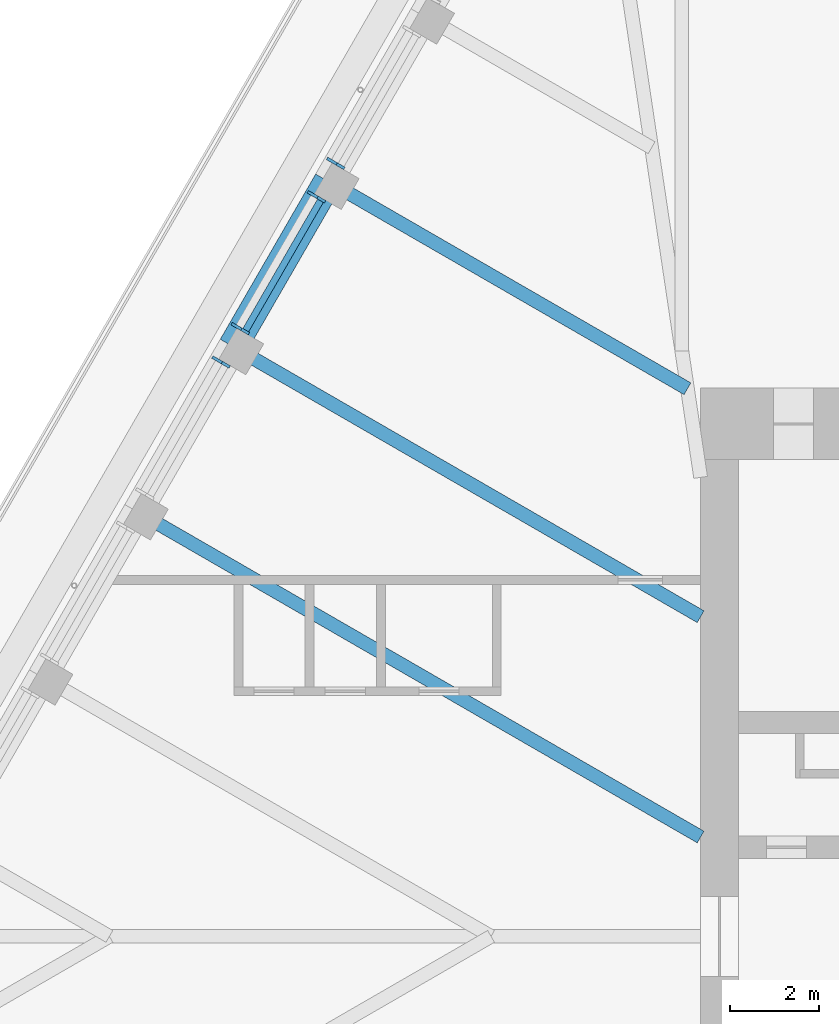
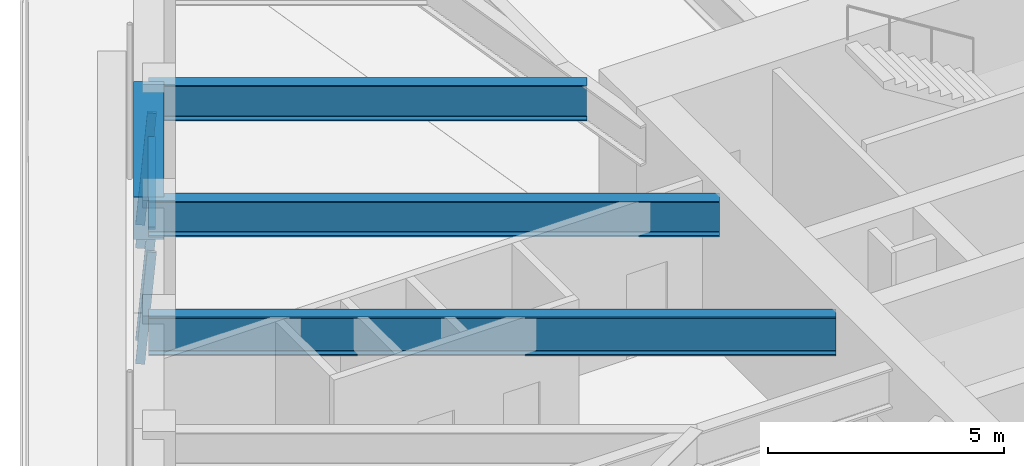
# One storey, part 7 of 20: 5 members, 4 beams, 3 elements without a shape of their own.
"""IFC4 building model written with IfcOpenShell, lengths in metres."""

from ifc_helpers import new_model, si_unit, direction, frame, origin, origin_2d, place, context, subcontext, project, spatial, rectangle, i_section, extrude, material, material_profile, profile_set, type_object, element, aggregate, save


model = new_model("IFC4")

# Units and contexts
model_context = context("Model", 3, precision=1e-05, world=origin(), true_north=direction((0.0, 1.0)))
body_context = subcontext(model_context, "Body", "Model", "MODEL_VIEW")
ifc_project = project(units=[si_unit("LENGTHUNIT", "METRE"), si_unit("AREAUNIT", "SQUARE_METRE"), si_unit("VOLUMEUNIT", "CUBIC_METRE"), si_unit("PLANEANGLEUNIT", "RADIAN"), si_unit("MASSUNIT", "GRAM", prefix="KILO")], contexts=[model_context])

# Site, building, storey
site_placement = place(None, origin())
site = spatial("IfcSite", under=ifc_project, at=site_placement, CompositionType="ELEMENT")
building_placement = place(site_placement, origin())
building = spatial("IfcBuilding", under=site, at=building_placement, Name="Tarfa Lantern Tower", CompositionType="ELEMENT")
storey_placement = place(building_placement, frame((0.0, 0.0, 382.89990234375)))
storey = spatial("IfcBuildingStorey", under=building, at=storey_placement, Name="L87", CompositionType="ELEMENT", Elevation=382.89990234375)

# Curtain wall, member
ifc_material_1 = material(Name="Aluminium framed curtain wall", Category="aluminium")
curtain_wall_type = type_object("IfcCurtainWallType", Name="CW4 CANTED GLAZING EXECUTIVE ZONE 2900", PredefinedType="USERDEFINED", material=ifc_material_1)
curtain_wall_1_placement = place(storey_placement, origin())
curtain_wall_1 = element("IfcCurtainWall", 1, at=curtain_wall_1_placement, inside=storey, type_object=curtain_wall_type, Name="CW4 NW L87", ObjectType="CURTAIN WALL", PredefinedType="USERDEFINED")
ifc_material_2 = material(Name="Aluminium mullion", Category="aluminium")
ifc_material_profile_1 = material_profile(ifc_material_2, rectangle(XDim=0.06494140625, YDim=0.199951171875, at=origin_2d()), Name="AL MULLION 65x200")
ifc_profile_set_1 = profile_set([ifc_material_profile_1], Name="Aluminium mullion")
member_type_1 = type_object("IfcMemberType", Name="CWM1 MULLION 65x200", PredefinedType="MULLION", material=ifc_profile_set_1)
member_1_placement = place(storey_placement, frame((-20.722412109375, 17.407958984375, 0.0), z_axis=(0.074393603155, -0.042941967097, 0.996303959277), x_axis=(0.499919672301, 0.866071776036, 0.0)))
member_1 = element("IfcMember", 2, at=member_1_placement, type_object=member_type_1, Name="CW4 mullion 2", PredefinedType="MULLION", context=body_context, shape_type="SweptSolid", body=[
    extrude(rectangle(XDim=0.06494140625, YDim=0.199951171875, at=origin_2d()), origin(), (0.0, 0.0, 1.0), 2.910888671875),
])
aggregate(curtain_wall_1, [member_1])

# Curtain wall, members
curtain_wall_2_placement = place(storey_placement, origin())
curtain_wall_2 = element("IfcCurtainWall", 3, at=curtain_wall_2_placement, inside=storey, type_object=curtain_wall_type, Name="CW4 NW L87", ObjectType="CURTAIN WALL", PredefinedType="USERDEFINED")
member_2_placement = place(storey_placement, frame((-21.15478515625, 16.65869140625, 0.0), z_axis=(0.074393603155, -0.042941967097, 0.996303959277), x_axis=(0.499919672301, 0.866071776036, 0.0)))
member_2 = element("IfcMember", 4, at=member_2_placement, type_object=member_type_1, Name="CW4 mullion 1", PredefinedType="MULLION", context=body_context, shape_type="SweptSolid", body=[
    extrude(rectangle(XDim=0.06494140625, YDim=0.199951171875, at=origin_2d()), origin(), (0.0, 0.0, 1.0), 2.910888671875),
])
member_3_placement = place(storey_placement, frame((-22.86328125, 13.699462890625, 0.0), z_axis=(0.074393603155, -0.042941967097, 0.996303959277), x_axis=(0.499919672301, 0.866071776036, 0.0)))
member_3 = element("IfcMember", 5, at=member_3_placement, type_object=member_type_1, Name="CW4 mullion 2", PredefinedType="MULLION", context=body_context, shape_type="SweptSolid", body=[
    extrude(rectangle(XDim=0.06494140625, YDim=0.199951171875, at=origin_2d()), origin(), (0.0, 0.0, 1.0), 2.910888671875),
])

# Curtain wall, member
curtain_wall_3_placement = place(storey_placement, origin())
curtain_wall_3 = element("IfcCurtainWall", 6, at=curtain_wall_3_placement, inside=storey, type_object=curtain_wall_type, Name="CW4 NW L87", ObjectType="CURTAIN WALL", PredefinedType="USERDEFINED")
member_4_placement = place(storey_placement, frame((-23.2958984375, 12.950439453125, 0.0), z_axis=(0.074393603155, -0.042941967097, 0.996303959277), x_axis=(0.499919672301, 0.866071776036, 0.0)))
member_4 = element("IfcMember", 7, at=member_4_placement, type_object=member_type_1, Name="CW4 mullion 1", PredefinedType="MULLION", context=body_context, shape_type="SweptSolid", body=[
    extrude(rectangle(XDim=0.06494140625, YDim=0.199951171875, at=origin_2d()), origin(), (0.0, 0.0, 1.0), 2.910888671875),
])
aggregate(curtain_wall_3, [member_4])

# Member
ifc_material_3 = material(Name="Aluminium transom", Category="aluminium")
ifc_material_profile_2 = material_profile(ifc_material_3, rectangle(XDim=0.14990234375, YDim=0.06494140625, at=origin_2d()), Name="AL TRANSOM 150x65")
ifc_profile_set_2 = profile_set([ifc_material_profile_2], Name="Aluminium transom")
member_type_2 = type_object("IfcMemberType", Name="CWT1 TRANSOM 150x65", PredefinedType="USERDEFINED", material=ifc_profile_set_2)
member_5_placement = place(storey_placement, frame((-20.95703125, 16.507080078125, 2.86767578125), z_axis=(-0.499985139611, -0.866033983264, 0.0), x_axis=(0.866033983264, -0.499985139611, 0.0)))
member_5 = element("IfcMember", 8, at=member_5_placement, type_object=member_type_2, Name="CW4 transom 1.2", ObjectType="TRANSOM", PredefinedType="USERDEFINED", context=body_context, shape_type="SweptSolid", body=[
    extrude(rectangle(XDim=0.14990234375, YDim=0.06494140625, at=origin_2d()), origin(), (0.0, 0.0, 1.0), 3.35205078125),
])

aggregate(curtain_wall_2, [member_2, member_3, member_5])

# Beams
ifc_material_4 = material(Name="Concrete C80/95", Category="concrete")
ifc_material_profile_3 = material_profile(ifc_material_4, rectangle(XDim=0.64990234375, YDim=1.10009765625, at=origin_2d()), Name="RC 650x1100")
ifc_profile_set_3 = profile_set([ifc_material_profile_3], Name="Concrete C80/95")
beam_type_1 = type_object("IfcBeamType", Name="EB4 RC 650x1100", PredefinedType="SPANDREL", material=ifc_profile_set_3)
beam_1_placement = place(storey_placement, frame((-20.78271484375, 16.943359375, 3.4501953125), z_axis=(-0.499984039138, -0.866034618596, 0.0), x_axis=(0.866034618596, -0.499984039138, 0.0)))
element("IfcBeam", 9, at=beam_1_placement, inside=storey, type_object=beam_type_1, Name="Edge beam NW2", PredefinedType="SPANDREL", context=body_context, shape_type="SweptSolid", body=[
    extrude(rectangle(XDim=0.64990234375, YDim=1.10009765625, at=origin_2d()), origin(), (0.0, 0.0, 1.0), 4.281982421875),
])
ifc_material_5 = material(Name="Steel S460M", Category="steel")
ifc_material_profile_4 = material_profile(ifc_material_5, i_section(OverallWidth=0.302001953125, OverallDepth=1.008056640625, WebThickness=0.02099609375, FlangeThickness=0.0400390625, FilletRadius=0.030029296875, at=origin_2d()), Name="UB1016x305x349")
ifc_profile_set_4 = profile_set([ifc_material_profile_4], Name="Steel S460M")
beam_type_2 = type_object("IfcBeamType", Name="UB1016x305x349", PredefinedType="BEAM", material=ifc_profile_set_4)
beam_2_placement = place(storey_placement, frame((-25.064697265625, 9.526611328125, 3.49609375), z_axis=(0.866029591389, -0.499992746786, 0.0), x_axis=(0.499992746786, 0.866029591389, 0.0)))
element("IfcBeam", 10, at=beam_2_placement, inside=storey, type_object=beam_type_2, Name="Floor beam NW4", PredefinedType="BEAM", context=body_context, shape_type="SweptSolid", body=[
    extrude(i_section(OverallWidth=0.302001953125, OverallDepth=1.008056640625, WebThickness=0.02099609375, FlangeThickness=0.0400390625, FilletRadius=0.030029296875, at=origin_2d()), origin(), (0.0, 0.0, 1.0), 14.594970703125),
])
ifc_material_profile_5 = material_profile(ifc_material_5, i_section(OverallWidth=0.305419921875, OverallDepth=0.91845703125, WebThickness=0.017333984375, FlangeThickness=0.02783203125, FilletRadius=0.01904296875, at=origin_2d()), Name="UB914x305x253")
ifc_profile_set_5 = profile_set([ifc_material_profile_5], Name="Steel S460M")
beam_type_3 = type_object("IfcBeamType", Name="UB914x305x253", PredefinedType="BEAM", material=ifc_profile_set_5)
beam_3_placement = place(storey_placement, frame((-20.78271484375, 16.943359375, 3.541015625), z_axis=(0.866021806508, -0.500006230613, 0.0), x_axis=(0.500006230613, 0.866021806508, 0.0)))
element("IfcBeam", 11, at=beam_3_placement, inside=storey, type_object=beam_type_3, Name="Floor beam NW2", PredefinedType="BEAM", context=body_context, shape_type="SweptSolid", body=[
    extrude(i_section(OverallWidth=0.305419921875, OverallDepth=0.91845703125, WebThickness=0.017333984375, FlangeThickness=0.02783203125, FilletRadius=0.01904296875, at=origin_2d()), origin(), (0.0, 0.0, 1.0), 9.30908203125),
])
beam_4_placement = place(storey_placement, frame((-22.923583984375, 13.235107421875, 3.541015625), z_axis=(0.86601856927, -0.500011837539, 0.0), x_axis=(0.500011837539, 0.86601856927, 0.0)))
element("IfcBeam", 12, at=beam_4_placement, inside=storey, type_object=beam_type_3, Name="Floor beam NW3", PredefinedType="BEAM", context=body_context, shape_type="SweptSolid", body=[
    extrude(i_section(OverallWidth=0.305419921875, OverallDepth=0.91845703125, WebThickness=0.017333984375, FlangeThickness=0.02783203125, FilletRadius=0.01904296875, at=origin_2d()), origin(), (0.0, 0.0, 1.0), 12.122802734375),
])

save(model, "model.ifc")
